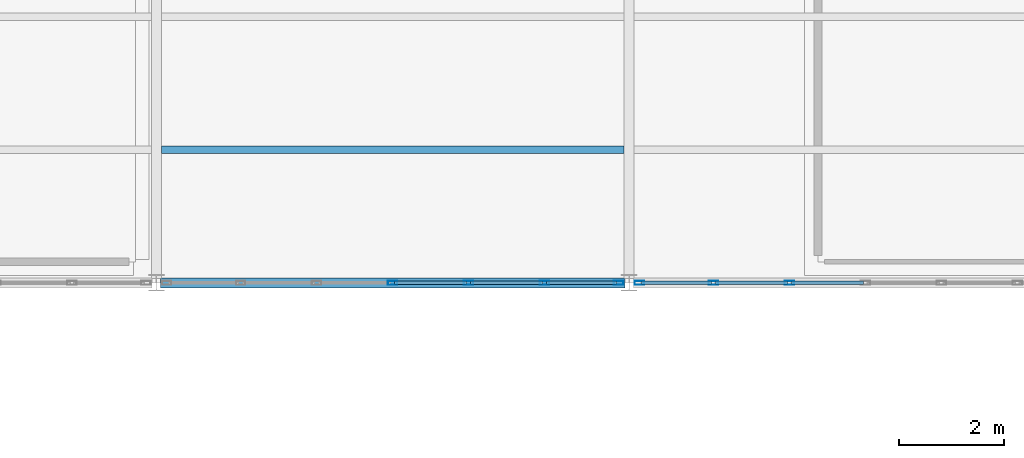
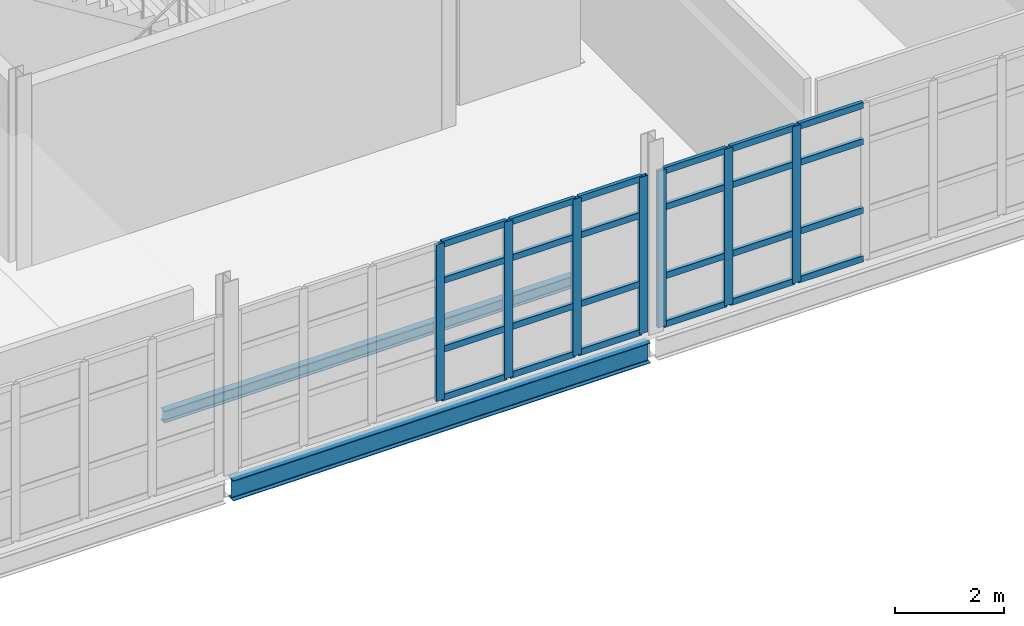
# One storey, part 110 of 166: 31 members, 2 beams, 2 elements without a shape of their own.
"""IFC4 building model written with IfcOpenShell, lengths in metres."""

from ifc_helpers import new_model, si_unit, direction, frame, origin, origin_2d, place, context, subcontext, project, spatial, hollow_rectangle, i_section, extrude, material, material_profile, profile_set, type_object, element, aggregate, save


model = new_model("IFC4")

# Units and contexts
model_context = context("Model", 3, precision=1e-05, world=origin(), true_north=direction((0.0, 1.0)))
body_context = subcontext(model_context, "Body", "Model", "MODEL_VIEW")
ifc_project = project(units=[si_unit("LENGTHUNIT", "METRE"), si_unit("AREAUNIT", "SQUARE_METRE"), si_unit("VOLUMEUNIT", "CUBIC_METRE"), si_unit("PLANEANGLEUNIT", "RADIAN"), si_unit("MASSUNIT", "GRAM", prefix="KILO")], contexts=[model_context])

# Site, building, storey
site_placement = place(None, origin())
site = spatial("IfcSite", under=ifc_project, at=site_placement, CompositionType="ELEMENT")
building_placement = place(site_placement, origin())
building = spatial("IfcBuilding", under=site, at=building_placement, Name="Caisbarro Railhouse Central Library", CompositionType="ELEMENT")
storey_placement = place(building_placement, frame((0.0, 0.0, 9.360107421875)))
storey = spatial("IfcBuildingStorey", under=building, at=storey_placement, Name="L02", CompositionType="ELEMENT", Elevation=9.360107421875)

# Beams
ifc_material_1 = material(Name="Steel ASTM A572 Grade 50", Category="steel")
ifc_material_profile_1 = material_profile(ifc_material_1, i_section(OverallWidth=0.14794921875, OverallDepth=0.26611328125, WebThickness=0.007568359375, FlangeThickness=0.012939453125, FilletRadius=0.010009765625, at=origin_2d()), Name="W250X44.8")
ifc_profile_set_1 = profile_set([ifc_material_profile_1], Name="Steel ASTM A572 Grade 50")
beam_type_1 = type_object("IfcBeamType", Name="BM-J04", PredefinedType="JOIST", material=ifc_profile_set_1)
beam_1_placement = place(storey_placement, frame((135.094970703125, 63.333251953125, -0.35302734375), z_axis=(1.0, 0.0, 0.0), x_axis=(0.0, 1.0, 0.0)))
element("IfcBeam", 1, at=beam_1_placement, inside=storey, type_object=beam_type_1, Name="J04 beam L02 #1561", PredefinedType="JOIST", context=body_context, shape_type="SweptSolid", body=[
    extrude(i_section(OverallWidth=0.14794921875, OverallDepth=0.26611328125, WebThickness=0.007568359375, FlangeThickness=0.012939453125, FilletRadius=0.010009765625, at=origin_2d()), origin(), (0.0, 0.0, 1.0), 8.81005859375),
])
ifc_material_profile_2 = material_profile(ifc_material_1, i_section(OverallWidth=0.18994140625, OverallDepth=0.45703125, WebThickness=0.009033203125, FlangeThickness=0.014404296875, FilletRadius=0.01806640625, at=origin_2d()), Name="W460X74.0")
ifc_profile_set_2 = profile_set([ifc_material_profile_2], Name="Steel ASTM A572 Grade 50")
beam_type_2 = type_object("IfcBeamType", Name="BM-SP01", PredefinedType="SPANDREL", material=ifc_profile_set_2)
beam_2_placement = place(storey_placement, frame((135.080078125, 60.800048828125, -0.448486328125), z_axis=(1.0, 0.0, 0.0), x_axis=(0.0, 1.0, 0.0)))
element("IfcBeam", 2, at=beam_2_placement, inside=storey, type_object=beam_type_2, Name="SP01 beam L02 #1478", PredefinedType="SPANDREL", context=body_context, shape_type="SweptSolid", body=[
    extrude(i_section(OverallWidth=0.18994140625, OverallDepth=0.45703125, WebThickness=0.009033203125, FlangeThickness=0.014404296875, FilletRadius=0.01806640625, at=origin_2d()), origin(), (0.0, 0.0, 1.0), 8.83984375),
])

# Curtain wall, members
ifc_material_2 = material(Name="Anodised architectural aluminium", Category="aluminium")
curtain_wall_type = type_object("IfcCurtainWallType", Name="CW-CW02", PredefinedType="NOTDEFINED", material=ifc_material_2)
curtain_wall_1_placement = place(storey_placement, origin())
curtain_wall_1 = element("IfcCurtainWall", 3, at=curtain_wall_1_placement, inside=storey, type_object=curtain_wall_type, Name="CW02 curtain wall L02 #135", PredefinedType="NOTDEFINED")
ifc_material_profile_3 = material_profile(ifc_material_2, hollow_rectangle(XDim=0.074951171875, YDim=0.179931640625, WallThickness=0.00439453125, at=origin_2d()), Name="ALU-MUL-75X180")
ifc_profile_set_3 = profile_set([ifc_material_profile_3], Name="Anodised architectural aluminium")
member_type_1 = type_object("IfcMemberType", Name="CWM-M01", PredefinedType="MULLION", material=ifc_profile_set_3)
member_1_placement = place(storey_placement, frame((139.5, 60.800048828125, 0.0), z_axis=(0.0, 0.0, 1.0), x_axis=(0.0, 1.0, 0.0)))
member_1 = element("IfcMember", 4, at=member_1_placement, type_object=member_type_1, Name="CW02 mullion 4", PredefinedType="MULLION", context=body_context, shape_type="SweptSolid", body=[
    extrude(hollow_rectangle(XDim=0.074951171875, YDim=0.179931640625, WallThickness=0.00439453125, at=origin_2d()), origin(), (0.0, 0.0, 1.0), 3.510009765625),
])
member_2_placement = place(storey_placement, frame((140.94677734375, 60.800048828125, 0.0), z_axis=(0.0, 0.0, 1.0), x_axis=(0.0, 1.0, 0.0)))
member_2 = element("IfcMember", 5, at=member_2_placement, type_object=member_type_1, Name="CW02 mullion 5", PredefinedType="MULLION", context=body_context, shape_type="SweptSolid", body=[
    extrude(hollow_rectangle(XDim=0.074951171875, YDim=0.179931640625, WallThickness=0.00439453125, at=origin_2d()), origin(), (0.0, 0.0, 1.0), 3.510009765625),
])
member_3_placement = place(storey_placement, frame((142.393310546875, 60.800048828125, 0.0), z_axis=(0.0, 0.0, 1.0), x_axis=(0.0, 1.0, 0.0)))
member_3 = element("IfcMember", 6, at=member_3_placement, type_object=member_type_1, Name="CW02 mullion 6", PredefinedType="MULLION", context=body_context, shape_type="SweptSolid", body=[
    extrude(hollow_rectangle(XDim=0.074951171875, YDim=0.179931640625, WallThickness=0.00439453125, at=origin_2d()), origin(), (0.0, 0.0, 1.0), 3.510009765625),
])
member_4_placement = place(storey_placement, frame((143.802490234375, 60.800048828125, 0.0), z_axis=(0.0, 0.0, 1.0), x_axis=(0.0, 1.0, 0.0)))
member_4 = element("IfcMember", 7, at=member_4_placement, type_object=member_type_1, Name="CW02 mullion 7", PredefinedType="MULLION", context=body_context, shape_type="SweptSolid", body=[
    extrude(hollow_rectangle(XDim=0.074951171875, YDim=0.179931640625, WallThickness=0.00439453125, at=origin_2d()), origin(), (0.0, 0.0, 1.0), 3.510009765625),
])

curtain_wall_2_placement = place(storey_placement, origin())
curtain_wall_2 = element("IfcCurtainWall", 8, at=curtain_wall_2_placement, inside=storey, type_object=curtain_wall_type, Name="CW02 curtain wall L02 #136", PredefinedType="NOTDEFINED")
member_5_placement = place(storey_placement, frame((144.197509765625, 60.800048828125, 0.0), z_axis=(0.0, 0.0, 1.0), x_axis=(0.0, 1.0, 0.0)))
member_5 = element("IfcMember", 9, at=member_5_placement, type_object=member_type_1, Name="CW02 mullion 1", PredefinedType="MULLION", context=body_context, shape_type="SweptSolid", body=[
    extrude(hollow_rectangle(XDim=0.074951171875, YDim=0.179931640625, WallThickness=0.00439453125, at=origin_2d()), origin(), (0.0, 0.0, 1.0), 3.510009765625),
])
member_6_placement = place(storey_placement, frame((145.606689453125, 60.800048828125, 0.0), z_axis=(0.0, 0.0, 1.0), x_axis=(0.0, 1.0, 0.0)))
member_6 = element("IfcMember", 10, at=member_6_placement, type_object=member_type_1, Name="CW02 mullion 2", PredefinedType="MULLION", context=body_context, shape_type="SweptSolid", body=[
    extrude(hollow_rectangle(XDim=0.074951171875, YDim=0.179931640625, WallThickness=0.00439453125, at=origin_2d()), origin(), (0.0, 0.0, 1.0), 3.510009765625),
])
member_7_placement = place(storey_placement, frame((147.05322265625, 60.800048828125, 0.0), z_axis=(0.0, 0.0, 1.0), x_axis=(0.0, 1.0, 0.0)))
member_7 = element("IfcMember", 11, at=member_7_placement, type_object=member_type_1, Name="CW02 mullion 3", PredefinedType="MULLION", context=body_context, shape_type="SweptSolid", body=[
    extrude(hollow_rectangle(XDim=0.074951171875, YDim=0.179931640625, WallThickness=0.00439453125, at=origin_2d()), origin(), (0.0, 0.0, 1.0), 3.510009765625),
])

# Member
ifc_material_profile_4 = material_profile(ifc_material_2, hollow_rectangle(XDim=0.074951171875, YDim=0.139892578125, WallThickness=0.00390625, at=origin_2d()), Name="ALU-TRN-75X140")
ifc_profile_set_4 = profile_set([ifc_material_profile_4], Name="Anodised architectural aluminium")
member_type_2 = type_object("IfcMemberType", Name="CWT-T01", PredefinedType="USERDEFINED", material=ifc_profile_set_4)
member_8_placement = place(storey_placement, frame((139.53759765625, 60.800048828125, 0.037353515625), z_axis=(1.0, 0.0, 0.0), x_axis=(0.0, 1.0, 0.0)))
member_8 = element("IfcMember", 12, at=member_8_placement, type_object=member_type_2, Name="CW02 transom 4.1", ObjectType="TRANSOM", PredefinedType="USERDEFINED", context=body_context, shape_type="SweptSolid", body=[
    extrude(hollow_rectangle(XDim=0.074951171875, YDim=0.139892578125, WallThickness=0.00390625, at=origin_2d()), origin(), (0.0, 0.0, 1.0), 1.37158203125),
])

member_9_placement = place(storey_placement, frame((139.53759765625, 60.800048828125, 1.119873046875), z_axis=(1.0, 0.0, 0.0), x_axis=(0.0, 1.0, 0.0)))
member_9 = element("IfcMember", 13, at=member_9_placement, type_object=member_type_2, Name="CW02 transom 4.2", ObjectType="TRANSOM", PredefinedType="USERDEFINED", context=body_context, shape_type="SweptSolid", body=[
    extrude(hollow_rectangle(XDim=0.074951171875, YDim=0.139892578125, WallThickness=0.00390625, at=origin_2d()), origin(), (0.0, 0.0, 1.0), 1.37158203125),
])

member_10_placement = place(storey_placement, frame((139.53759765625, 60.800048828125, 2.659912109375), z_axis=(1.0, 0.0, 0.0), x_axis=(0.0, 1.0, 0.0)))
member_10 = element("IfcMember", 14, at=member_10_placement, type_object=member_type_2, Name="CW02 transom 4.3", ObjectType="TRANSOM", PredefinedType="USERDEFINED", context=body_context, shape_type="SweptSolid", body=[
    extrude(hollow_rectangle(XDim=0.074951171875, YDim=0.139892578125, WallThickness=0.00390625, at=origin_2d()), origin(), (0.0, 0.0, 1.0), 1.37158203125),
])

member_11_placement = place(storey_placement, frame((139.53759765625, 60.800048828125, 3.472412109375), z_axis=(1.0, 0.0, 0.0), x_axis=(0.0, 1.0, 0.0)))
member_11 = element("IfcMember", 15, at=member_11_placement, type_object=member_type_2, Name="CW02 transom 4.4", ObjectType="TRANSOM", PredefinedType="USERDEFINED", context=body_context, shape_type="SweptSolid", body=[
    extrude(hollow_rectangle(XDim=0.074951171875, YDim=0.139892578125, WallThickness=0.00390625, at=origin_2d()), origin(), (0.0, 0.0, 1.0), 1.37158203125),
])

member_12_placement = place(storey_placement, frame((140.984130859375, 60.800048828125, 0.037353515625), z_axis=(1.0, 0.0, 0.0), x_axis=(0.0, 1.0, 0.0)))
member_12 = element("IfcMember", 16, at=member_12_placement, type_object=member_type_2, Name="CW02 transom 5.1", ObjectType="TRANSOM", PredefinedType="USERDEFINED", context=body_context, shape_type="SweptSolid", body=[
    extrude(hollow_rectangle(XDim=0.074951171875, YDim=0.139892578125, WallThickness=0.00390625, at=origin_2d()), origin(), (0.0, 0.0, 1.0), 1.37158203125),
])

member_13_placement = place(storey_placement, frame((140.984130859375, 60.800048828125, 1.119873046875), z_axis=(1.0, 0.0, 0.0), x_axis=(0.0, 1.0, 0.0)))
member_13 = element("IfcMember", 17, at=member_13_placement, type_object=member_type_2, Name="CW02 transom 5.2", ObjectType="TRANSOM", PredefinedType="USERDEFINED", context=body_context, shape_type="SweptSolid", body=[
    extrude(hollow_rectangle(XDim=0.074951171875, YDim=0.139892578125, WallThickness=0.00390625, at=origin_2d()), origin(), (0.0, 0.0, 1.0), 1.37158203125),
])

member_14_placement = place(storey_placement, frame((140.984130859375, 60.800048828125, 2.659912109375), z_axis=(1.0, 0.0, 0.0), x_axis=(0.0, 1.0, 0.0)))
member_14 = element("IfcMember", 18, at=member_14_placement, type_object=member_type_2, Name="CW02 transom 5.3", ObjectType="TRANSOM", PredefinedType="USERDEFINED", context=body_context, shape_type="SweptSolid", body=[
    extrude(hollow_rectangle(XDim=0.074951171875, YDim=0.139892578125, WallThickness=0.00390625, at=origin_2d()), origin(), (0.0, 0.0, 1.0), 1.37158203125),
])

member_15_placement = place(storey_placement, frame((140.984130859375, 60.800048828125, 3.472412109375), z_axis=(1.0, 0.0, 0.0), x_axis=(0.0, 1.0, 0.0)))
member_15 = element("IfcMember", 19, at=member_15_placement, type_object=member_type_2, Name="CW02 transom 5.4", ObjectType="TRANSOM", PredefinedType="USERDEFINED", context=body_context, shape_type="SweptSolid", body=[
    extrude(hollow_rectangle(XDim=0.074951171875, YDim=0.139892578125, WallThickness=0.00390625, at=origin_2d()), origin(), (0.0, 0.0, 1.0), 1.37158203125),
])

member_16_placement = place(storey_placement, frame((142.430908203125, 60.800048828125, 0.037353515625), z_axis=(1.0, 0.0, 0.0), x_axis=(0.0, 1.0, 0.0)))
member_16 = element("IfcMember", 20, at=member_16_placement, type_object=member_type_2, Name="CW02 transom 6.1", ObjectType="TRANSOM", PredefinedType="USERDEFINED", context=body_context, shape_type="SweptSolid", body=[
    extrude(hollow_rectangle(XDim=0.074951171875, YDim=0.139892578125, WallThickness=0.00390625, at=origin_2d()), origin(), (0.0, 0.0, 1.0), 1.333984375),
])

member_17_placement = place(storey_placement, frame((142.430908203125, 60.800048828125, 1.119873046875), z_axis=(1.0, 0.0, 0.0), x_axis=(0.0, 1.0, 0.0)))
member_17 = element("IfcMember", 21, at=member_17_placement, type_object=member_type_2, Name="CW02 transom 6.2", ObjectType="TRANSOM", PredefinedType="USERDEFINED", context=body_context, shape_type="SweptSolid", body=[
    extrude(hollow_rectangle(XDim=0.074951171875, YDim=0.139892578125, WallThickness=0.00390625, at=origin_2d()), origin(), (0.0, 0.0, 1.0), 1.333984375),
])

member_18_placement = place(storey_placement, frame((142.430908203125, 60.800048828125, 2.659912109375), z_axis=(1.0, 0.0, 0.0), x_axis=(0.0, 1.0, 0.0)))
member_18 = element("IfcMember", 22, at=member_18_placement, type_object=member_type_2, Name="CW02 transom 6.3", ObjectType="TRANSOM", PredefinedType="USERDEFINED", context=body_context, shape_type="SweptSolid", body=[
    extrude(hollow_rectangle(XDim=0.074951171875, YDim=0.139892578125, WallThickness=0.00390625, at=origin_2d()), origin(), (0.0, 0.0, 1.0), 1.333984375),
])

member_19_placement = place(storey_placement, frame((142.430908203125, 60.800048828125, 3.472412109375), z_axis=(1.0, 0.0, 0.0), x_axis=(0.0, 1.0, 0.0)))
member_19 = element("IfcMember", 23, at=member_19_placement, type_object=member_type_2, Name="CW02 transom 6.4", ObjectType="TRANSOM", PredefinedType="USERDEFINED", context=body_context, shape_type="SweptSolid", body=[
    extrude(hollow_rectangle(XDim=0.074951171875, YDim=0.139892578125, WallThickness=0.00390625, at=origin_2d()), origin(), (0.0, 0.0, 1.0), 1.333984375),
])

aggregate(curtain_wall_1, [member_1, member_2, member_3, member_4, member_8, member_9, member_10, member_11, member_12, member_13, member_14, member_15, member_16, member_17, member_18, member_19])

member_20_placement = place(storey_placement, frame((144.235107421875, 60.800048828125, 0.037353515625), z_axis=(1.0, 0.0, 0.0), x_axis=(0.0, 1.0, 0.0)))
member_20 = element("IfcMember", 24, at=member_20_placement, type_object=member_type_2, Name="CW02 transom 1.1", ObjectType="TRANSOM", PredefinedType="USERDEFINED", context=body_context, shape_type="SweptSolid", body=[
    extrude(hollow_rectangle(XDim=0.074951171875, YDim=0.139892578125, WallThickness=0.00390625, at=origin_2d()), origin(), (0.0, 0.0, 1.0), 1.333984375),
])

member_21_placement = place(storey_placement, frame((144.235107421875, 60.800048828125, 1.119873046875), z_axis=(1.0, 0.0, 0.0), x_axis=(0.0, 1.0, 0.0)))
member_21 = element("IfcMember", 25, at=member_21_placement, type_object=member_type_2, Name="CW02 transom 1.2", ObjectType="TRANSOM", PredefinedType="USERDEFINED", context=body_context, shape_type="SweptSolid", body=[
    extrude(hollow_rectangle(XDim=0.074951171875, YDim=0.139892578125, WallThickness=0.00390625, at=origin_2d()), origin(), (0.0, 0.0, 1.0), 1.333984375),
])

member_22_placement = place(storey_placement, frame((144.235107421875, 60.800048828125, 2.659912109375), z_axis=(1.0, 0.0, 0.0), x_axis=(0.0, 1.0, 0.0)))
member_22 = element("IfcMember", 26, at=member_22_placement, type_object=member_type_2, Name="CW02 transom 1.3", ObjectType="TRANSOM", PredefinedType="USERDEFINED", context=body_context, shape_type="SweptSolid", body=[
    extrude(hollow_rectangle(XDim=0.074951171875, YDim=0.139892578125, WallThickness=0.00390625, at=origin_2d()), origin(), (0.0, 0.0, 1.0), 1.333984375),
])

member_23_placement = place(storey_placement, frame((144.235107421875, 60.800048828125, 3.472412109375), z_axis=(1.0, 0.0, 0.0), x_axis=(0.0, 1.0, 0.0)))
member_23 = element("IfcMember", 27, at=member_23_placement, type_object=member_type_2, Name="CW02 transom 1.4", ObjectType="TRANSOM", PredefinedType="USERDEFINED", context=body_context, shape_type="SweptSolid", body=[
    extrude(hollow_rectangle(XDim=0.074951171875, YDim=0.139892578125, WallThickness=0.00390625, at=origin_2d()), origin(), (0.0, 0.0, 1.0), 1.333984375),
])

member_24_placement = place(storey_placement, frame((145.644287109375, 60.800048828125, 0.037353515625), z_axis=(1.0, 0.0, 0.0), x_axis=(0.0, 1.0, 0.0)))
member_24 = element("IfcMember", 28, at=member_24_placement, type_object=member_type_2, Name="CW02 transom 2.1", ObjectType="TRANSOM", PredefinedType="USERDEFINED", context=body_context, shape_type="SweptSolid", body=[
    extrude(hollow_rectangle(XDim=0.074951171875, YDim=0.139892578125, WallThickness=0.00390625, at=origin_2d()), origin(), (0.0, 0.0, 1.0), 1.37158203125),
])

member_25_placement = place(storey_placement, frame((145.644287109375, 60.800048828125, 1.119873046875), z_axis=(1.0, 0.0, 0.0), x_axis=(0.0, 1.0, 0.0)))
member_25 = element("IfcMember", 29, at=member_25_placement, type_object=member_type_2, Name="CW02 transom 2.2", ObjectType="TRANSOM", PredefinedType="USERDEFINED", context=body_context, shape_type="SweptSolid", body=[
    extrude(hollow_rectangle(XDim=0.074951171875, YDim=0.139892578125, WallThickness=0.00390625, at=origin_2d()), origin(), (0.0, 0.0, 1.0), 1.37158203125),
])

member_26_placement = place(storey_placement, frame((145.644287109375, 60.800048828125, 2.659912109375), z_axis=(1.0, 0.0, 0.0), x_axis=(0.0, 1.0, 0.0)))
member_26 = element("IfcMember", 30, at=member_26_placement, type_object=member_type_2, Name="CW02 transom 2.3", ObjectType="TRANSOM", PredefinedType="USERDEFINED", context=body_context, shape_type="SweptSolid", body=[
    extrude(hollow_rectangle(XDim=0.074951171875, YDim=0.139892578125, WallThickness=0.00390625, at=origin_2d()), origin(), (0.0, 0.0, 1.0), 1.37158203125),
])

member_27_placement = place(storey_placement, frame((145.644287109375, 60.800048828125, 3.472412109375), z_axis=(1.0, 0.0, 0.0), x_axis=(0.0, 1.0, 0.0)))
member_27 = element("IfcMember", 31, at=member_27_placement, type_object=member_type_2, Name="CW02 transom 2.4", ObjectType="TRANSOM", PredefinedType="USERDEFINED", context=body_context, shape_type="SweptSolid", body=[
    extrude(hollow_rectangle(XDim=0.074951171875, YDim=0.139892578125, WallThickness=0.00390625, at=origin_2d()), origin(), (0.0, 0.0, 1.0), 1.37158203125),
])

member_28_placement = place(storey_placement, frame((147.0908203125, 60.800048828125, 0.037353515625), z_axis=(1.0, 0.0, 0.0), x_axis=(0.0, 1.0, 0.0)))
member_28 = element("IfcMember", 32, at=member_28_placement, type_object=member_type_2, Name="CW02 transom 3.1", ObjectType="TRANSOM", PredefinedType="USERDEFINED", context=body_context, shape_type="SweptSolid", body=[
    extrude(hollow_rectangle(XDim=0.074951171875, YDim=0.139892578125, WallThickness=0.00390625, at=origin_2d()), origin(), (0.0, 0.0, 1.0), 1.37158203125),
])

member_29_placement = place(storey_placement, frame((147.0908203125, 60.800048828125, 1.119873046875), z_axis=(1.0, 0.0, 0.0), x_axis=(0.0, 1.0, 0.0)))
member_29 = element("IfcMember", 33, at=member_29_placement, type_object=member_type_2, Name="CW02 transom 3.2", ObjectType="TRANSOM", PredefinedType="USERDEFINED", context=body_context, shape_type="SweptSolid", body=[
    extrude(hollow_rectangle(XDim=0.074951171875, YDim=0.139892578125, WallThickness=0.00390625, at=origin_2d()), origin(), (0.0, 0.0, 1.0), 1.37158203125),
])

member_30_placement = place(storey_placement, frame((147.0908203125, 60.800048828125, 2.659912109375), z_axis=(1.0, 0.0, 0.0), x_axis=(0.0, 1.0, 0.0)))
member_30 = element("IfcMember", 34, at=member_30_placement, type_object=member_type_2, Name="CW02 transom 3.3", ObjectType="TRANSOM", PredefinedType="USERDEFINED", context=body_context, shape_type="SweptSolid", body=[
    extrude(hollow_rectangle(XDim=0.074951171875, YDim=0.139892578125, WallThickness=0.00390625, at=origin_2d()), origin(), (0.0, 0.0, 1.0), 1.37158203125),
])

member_31_placement = place(storey_placement, frame((147.0908203125, 60.800048828125, 3.472412109375), z_axis=(1.0, 0.0, 0.0), x_axis=(0.0, 1.0, 0.0)))
member_31 = element("IfcMember", 35, at=member_31_placement, type_object=member_type_2, Name="CW02 transom 3.4", ObjectType="TRANSOM", PredefinedType="USERDEFINED", context=body_context, shape_type="SweptSolid", body=[
    extrude(hollow_rectangle(XDim=0.074951171875, YDim=0.139892578125, WallThickness=0.00390625, at=origin_2d()), origin(), (0.0, 0.0, 1.0), 1.37158203125),
])

aggregate(curtain_wall_2, [member_5, member_6, member_7, member_20, member_21, member_22, member_23, member_24, member_25, member_26, member_27, member_28, member_29, member_30, member_31])

save(model, "model.ifc")
